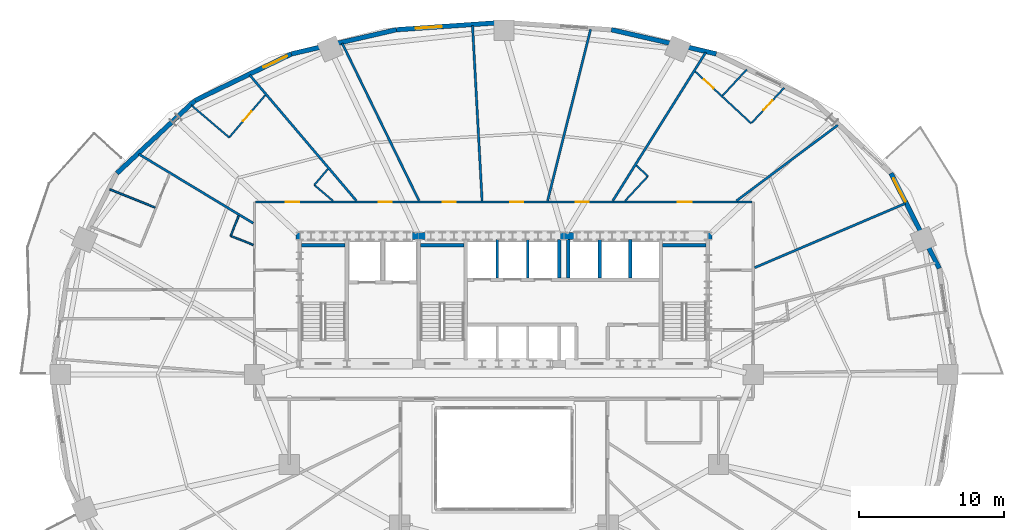
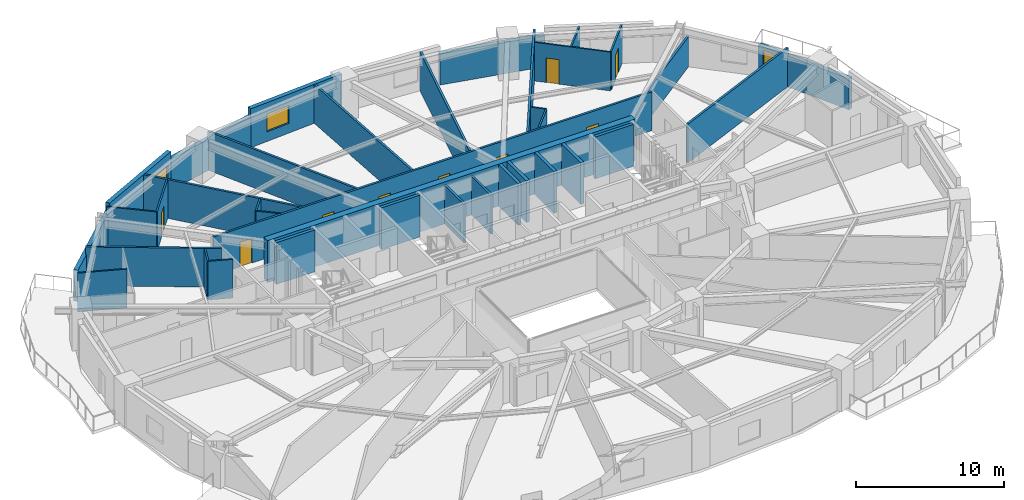
# One storey, part 12 of 17: 37 walls, 9 doors, 3 windows, 12 openings.
"""IFC4 building model written with IfcOpenShell, lengths in metres."""

from ifc_helpers import new_model, si_unit, direction, frame, frame_2d, origin, place, context, subcontext, project, spatial, rectangle, extrude, material, layer, layer_set, type_object, element, fill, save


model = new_model("IFC4")

# Units and contexts
model_context = context("Model", 3, precision=1e-05, world=origin(), true_north=direction((0.0, 1.0)))
body_context = subcontext(model_context, "Body", "Model", "MODEL_VIEW")
ifc_project = project(units=[si_unit("LENGTHUNIT", "METRE"), si_unit("AREAUNIT", "SQUARE_METRE"), si_unit("VOLUMEUNIT", "CUBIC_METRE"), si_unit("PLANEANGLEUNIT", "RADIAN"), si_unit("MASSUNIT", "GRAM", prefix="KILO")], contexts=[model_context])

# Site, building, storey
site_placement = place(None, origin())
site = spatial("IfcSite", under=ifc_project, at=site_placement, CompositionType="ELEMENT")
building_placement = place(site_placement, origin())
building = spatial("IfcBuilding", under=site, at=building_placement, Name="Haldorwick Loom Tower", CompositionType="ELEMENT")
storey_placement = place(building_placement, frame((0.0, 0.0, 30.89990234375)))
storey = spatial("IfcBuildingStorey", under=building, at=storey_placement, Name="L07", CompositionType="ELEMENT", Elevation=30.89990234375)

# Wall, opening, window
ifc_material_1 = material(Name="Pressed Clay Face Brick and Insulated Masonry Backup Assembly", Category="masonry")
ifc_layer_1 = layer(ifc_material_1, 0.320068359375, Name="Pressed Clay Face Brick and Insulated Masonry Backup Assembly", Category="masonry")
ifc_layer_set_1 = layer_set([ifc_layer_1], Name="Pressed Clay Face Brick and Insulated Masonry Backup Assembly")
wall_type_1 = type_object("IfcWallType", Name="ARC-WL-EXT320", PredefinedType="STANDARD", material=ifc_layer_set_1)
wall_1_placement = place(storey_placement, frame((66.021728515625, 33.320556640625, 0.0), z_axis=(0.0, 0.0, 1.0), x_axis=(-0.452950855928, 0.891535485617, 0.0)))
wall_1 = element("IfcWall", 1, at=wall_1_placement, inside=storey, type_object=wall_type_1, Name="L07 Brick Pier and Spandrel Wall 2", PredefinedType="STANDARD", context=body_context, shape_type="SweptSolid", body=[
    extrude(rectangle(XDim=7.3583984375, YDim=0.320068359375, at=frame_2d((3.67919921875, 0.0))), origin(), (0.0, 0.0, 1.0), 2.569091796875),
])
opening_1_placement = place(wall_1_placement, frame((5.158203125, 0.0, 0.800048828125)))
opening_1 = element("IfcOpeningElement", 2, at=opening_1_placement, cuts=wall_1, Name="Opening W-01", PredefinedType="OPENING", context=body_context, shape_type="SweptSolid", body=[
    extrude(rectangle(XDim=1.800048828125, YDim=1.47998046875, at=frame_2d((0.89990234375, 0.739990234375))), frame((0.0, 0.169921875, 0.0), z_axis=(0.0, -1.0, 0.0), x_axis=(1.0, 0.0, 0.0)), (0.0, 0.0, 1.0), 0.340087890625),
])
ifc_material_2 = material(Name="Triple-Glazed Low-E Argon Insulated Glazing Unit", Category="glass")
window_type = type_object("IfcWindowType", Name="ARC-WIN-W180", PartitioningType="SINGLE_PANEL", PredefinedType="WINDOW", material=ifc_material_2)
window_1_placement = place(opening_1_placement, origin())
window_1 = element("IfcWindow", 3, at=window_1_placement, inside=storey, type_object=window_type, Name="L07 Deep-Set Zone 7A Window 2", OverallHeight=1.47998046875, OverallWidth=1.800048828125, PartitioningType="SINGLE_PANEL", PredefinedType="WINDOW", context=body_context, shape_type="SweptSolid", body=[
    extrude(rectangle(XDim=1.800048828125, YDim=1.47998046875, at=frame_2d((0.89990234375, 0.739990234375))), frame((0.0, 0.030029296875, 0.0), z_axis=(0.0, -1.0, 0.0), x_axis=(1.0, 0.0, 0.0)), (0.0, 0.0, 1.0), 0.06005859375),
])
fill(opening_1, window_1)

# Wall
wall_2_placement = place(storey_placement, frame((50.644775390625, 48.11572265625, 0.0), z_axis=(0.0, 0.0, 1.0), x_axis=(-0.974522412345, 0.224290142088, 0.0)))
element("IfcWall", 4, at=wall_2_placement, inside=storey, type_object=wall_type_1, Name="L07 Brick Pier and Spandrel Wall 5", PredefinedType="STANDARD", context=body_context, shape_type="SweptSolid", body=[
    extrude(rectangle(XDim=7.422607421875, YDim=0.320068359375, at=frame_2d((3.71142578125, 0.0))), origin(), (0.0, 0.0, 1.0), 2.569091796875),
])

# Wall, opening, window
wall_3_placement = place(storey_placement, frame((36.0, 50.2900390625, 0.0), z_axis=(0.0, 0.0, 1.0), x_axis=(-0.997645161917, -0.068586667092, 0.0)))
wall_3 = element("IfcWall", 5, at=wall_3_placement, inside=storey, type_object=wall_type_1, Name="L07 Brick Pier and Spandrel Wall 7", PredefinedType="STANDARD", context=body_context, shape_type="SweptSolid", body=[
    extrude(rectangle(XDim=7.428955078125, YDim=0.320068359375, at=frame_2d((3.71435546875, 0.0))), origin(), (0.0, 0.0, 1.0), 3.210205078125),
])
opening_2_placement = place(wall_3_placement, frame((4.30029296875, 0.0, 0.800048828125)))
opening_2 = element("IfcOpeningElement", 6, at=opening_2_placement, cuts=wall_3, Name="Opening W-01", PredefinedType="OPENING", context=body_context, shape_type="SweptSolid", body=[
    extrude(rectangle(XDim=1.800048828125, YDim=1.47998046875, at=frame_2d((0.89990234375, 0.739990234375))), frame((0.0, 0.169921875, 0.0), z_axis=(0.0, -1.0, 0.0), x_axis=(1.0, 0.0, 0.0)), (0.0, 0.0, 1.0), 0.340087890625),
])
window_2_placement = place(opening_2_placement, origin())
window_2 = element("IfcWindow", 7, at=window_2_placement, inside=storey, type_object=window_type, Name="L07 Deep-Set Zone 7A Window 7", OverallHeight=1.47998046875, OverallWidth=1.800048828125, PartitioningType="SINGLE_PANEL", PredefinedType="WINDOW", context=body_context, shape_type="SweptSolid", body=[
    extrude(rectangle(XDim=1.800048828125, YDim=1.47998046875, at=frame_2d((0.89990234375, 0.739990234375))), frame((0.0, 0.030029296875, 0.0), z_axis=(0.0, -1.0, 0.0), x_axis=(1.0, 0.0, 0.0)), (0.0, 0.0, 1.0), 0.06005859375),
])
fill(opening_2, window_2)

# Wall
wall_4_placement = place(storey_placement, frame((28.588623046875, 49.780517578125, 0.0), z_axis=(0.0, 0.0, 1.0), x_axis=(-0.974522412345, -0.224290142088, 0.0)))
element("IfcWall", 8, at=wall_4_placement, inside=storey, type_object=wall_type_1, Name="L07 Brick Pier and Spandrel Wall 8", PredefinedType="STANDARD", context=body_context, shape_type="SweptSolid", body=[
    extrude(rectangle(XDim=7.422607421875, YDim=0.320068359375, at=frame_2d((3.71142578125, 0.0))), origin(), (0.0, 0.0, 1.0), 2.569091796875),
])

# Wall, opening, window
wall_5_placement = place(storey_placement, frame((21.355224609375, 48.11572265625, 0.0), z_axis=(0.0, 0.0, 1.0), x_axis=(-0.900295710431, -0.435278800057, 0.0)))
wall_5 = element("IfcWall", 9, at=wall_5_placement, inside=storey, type_object=wall_type_1, Name="L07 Brick Pier and Spandrel Wall 9", PredefinedType="STANDARD", context=body_context, shape_type="SweptSolid", body=[
    extrude(rectangle(XDim=7.39697265625, YDim=0.320068359375, at=frame_2d((3.698486328125, 0.0))), origin(), (0.0, 0.0, 1.0), 3.210205078125),
])
opening_3_placement = place(wall_5_placement, frame((0.340087890625, 0.0, 0.800048828125)))
opening_3 = element("IfcOpeningElement", 10, at=opening_3_placement, cuts=wall_5, Name="Opening W-01", PredefinedType="OPENING", context=body_context, shape_type="SweptSolid", body=[
    extrude(rectangle(XDim=1.800048828125, YDim=1.47998046875, at=frame_2d((0.89990234375, 0.739990234375))), frame((0.0, 0.169921875, 0.0), z_axis=(0.0, -1.0, 0.0), x_axis=(1.0, 0.0, 0.0)), (0.0, 0.0, 1.0), 0.340087890625),
])
window_3_placement = place(opening_3_placement, origin())
window_3 = element("IfcWindow", 11, at=window_3_placement, inside=storey, type_object=window_type, Name="L07 Deep-Set Zone 7A Window 9", OverallHeight=1.47998046875, OverallWidth=1.800048828125, PartitioningType="SINGLE_PANEL", PredefinedType="WINDOW", context=body_context, shape_type="SweptSolid", body=[
    extrude(rectangle(XDim=1.800048828125, YDim=1.47998046875, at=frame_2d((0.89990234375, 0.739990234375))), frame((0.0, 0.030029296875, 0.0), z_axis=(0.0, -1.0, 0.0), x_axis=(1.0, 0.0, 0.0)), (0.0, 0.0, 1.0), 0.06005859375),
])
fill(opening_3, window_3)

# Wall
wall_6_placement = place(storey_placement, frame((14.69580078125, 44.89599609375, 0.0), z_axis=(0.0, 0.0, 1.0), x_axis=(-0.73176101237, -0.681561311091, 0.0)))
element("IfcWall", 12, at=wall_6_placement, inside=storey, type_object=wall_type_1, Name="L07 Brick Pier and Spandrel Wall 10", PredefinedType="STANDARD", context=body_context, shape_type="SweptSolid", body=[
    extrude(rectangle(XDim=7.3583984375, YDim=0.320068359375, at=frame_2d((3.67919921875, 0.0))), origin(), (0.0, 0.0, 1.0), 2.569091796875),
])

# Wall, openings, doors
ifc_material_3 = material(Name="Fire-Rated Type X Gypsum Stud Assembly EI 60")
ifc_layer_2 = layer(ifc_material_3, 0.159912109375, Name="Fire-Rated Type X Gypsum Stud Assembly EI 60")
ifc_layer_set_2 = layer_set([ifc_layer_2], Name="Fire-Rated Type X Gypsum Stud Assembly EI 60")
wall_type_2 = type_object("IfcWallType", Name="ARC-WL-FIRE160", PredefinedType="PARTITIONING", material=ifc_layer_set_2)
wall_7_placement = place(storey_placement, frame((18.883056640625, 37.89990234375, 0.0), z_axis=(0.0, 0.0, 1.0), x_axis=(1.0, 0.0, 0.0)))
wall_7 = element("IfcWall", 13, at=wall_7_placement, inside=storey, type_object=wall_type_2, Name="L07 Residential Fire Partition L07-CR-N0", PredefinedType="PARTITIONING", context=body_context, shape_type="SweptSolid", body=[
    extrude(rectangle(XDim=34.23388671875, YDim=0.159912109375, at=frame_2d((17.116943359375, 0.0))), origin(), (0.0, 0.0, 1.0), 3.195068359375),
])
opening_4_placement = place(wall_7_placement, frame((29.120849609375, 0.0, 0.0)))
opening_4 = element("IfcOpeningElement", 14, at=opening_4_placement, cuts=wall_7, Name="Opening D-FL95", PredefinedType="OPENING", context=body_context, shape_type="SweptSolid", body=[
    extrude(rectangle(XDim=0.949951171875, YDim=2.0400390625, at=frame_2d((0.47509765625, 1.02001953125))), frame((0.0, 0.08984375, 0.0), z_axis=(0.0, -1.0, 0.0), x_axis=(1.0, 0.0, 0.0)), (0.0, 0.0, 1.0), 0.179931640625),
])
opening_5_placement = place(wall_7_placement, frame((2.06494140625, 0.0, 0.0)))
opening_5 = element("IfcOpeningElement", 15, at=opening_5_placement, cuts=wall_7, Name="Opening D-FL95", PredefinedType="OPENING", context=body_context, shape_type="SweptSolid", body=[
    extrude(rectangle(XDim=0.949951171875, YDim=2.0400390625, at=frame_2d((0.47509765625, 1.02001953125))), frame((0.0, 0.08984375, 0.0), z_axis=(0.0, -1.0, 0.0), x_axis=(1.0, 0.0, 0.0)), (0.0, 0.0, 1.0), 0.179931640625),
])
opening_6_placement = place(wall_7_placement, frame((22.078125, 0.0, 0.0)))
opening_6 = element("IfcOpeningElement", 16, at=opening_6_placement, cuts=wall_7, Name="Opening D-FD60A", PredefinedType="OPENING", context=body_context, shape_type="SweptSolid", body=[
    extrude(rectangle(XDim=0.89990234375, YDim=2.0, at=frame_2d((0.449951171875, 1.0))), frame((0.0, 0.08984375, 0.0), z_axis=(0.0, -1.0, 0.0), x_axis=(1.0, 0.0, 0.0)), (0.0, 0.0, 1.0), 0.179931640625),
])
opening_7_placement = place(wall_7_placement, frame((17.550537109375, 0.0, 0.0)))
opening_7 = element("IfcOpeningElement", 17, at=opening_7_placement, cuts=wall_7, Name="Opening D-FD60A", PredefinedType="OPENING", context=body_context, shape_type="SweptSolid", body=[
    extrude(rectangle(XDim=0.89990234375, YDim=2.0, at=frame_2d((0.449951171875, 1.0))), frame((0.0, 0.08984375, 0.0), z_axis=(0.0, -1.0, 0.0), x_axis=(1.0, 0.0, 0.0)), (0.0, 0.0, 1.0), 0.179931640625),
])
opening_8_placement = place(wall_7_placement, frame((8.4951171875, 0.0, 0.0)))
opening_8 = element("IfcOpeningElement", 18, at=opening_8_placement, cuts=wall_7, Name="Opening D-FD60A", PredefinedType="OPENING", context=body_context, shape_type="SweptSolid", body=[
    extrude(rectangle(XDim=0.89990234375, YDim=2.0, at=frame_2d((0.449951171875, 1.0))), frame((0.0, 0.08984375, 0.0), z_axis=(0.0, -1.0, 0.0), x_axis=(1.0, 0.0, 0.0)), (0.0, 0.0, 1.0), 0.179931640625),
])
opening_9_placement = place(wall_7_placement, frame((12.912353515625, 0.0, 0.0)))
opening_9 = element("IfcOpeningElement", 19, at=opening_9_placement, cuts=wall_7, Name="Opening D-FD60A", PredefinedType="OPENING", context=body_context, shape_type="SweptSolid", body=[
    extrude(rectangle(XDim=0.89990234375, YDim=2.0, at=frame_2d((0.449951171875, 1.0))), frame((0.0, 0.08984375, 0.0), z_axis=(0.0, -1.0, 0.0), x_axis=(1.0, 0.0, 0.0)), (0.0, 0.0, 1.0), 0.179931640625),
])
ifc_material_4 = material(Name="Hollow Steel Fire Door Assembly", Category="steel")
door_type_1 = type_object("IfcDoorType", Name="ARC-DR-FD60-90", OperationType="NOTDEFINED", PredefinedType="DOOR", material=ifc_material_4)
door_1_placement = place(opening_6_placement, frame((0.89990234375, 0.0, 0.0), z_axis=(0.0, 0.0, 1.0), x_axis=(-1.0, 0.0, 0.0)))
door_1 = element("IfcDoor", 20, at=door_1_placement, inside=storey, type_object=door_type_1, Name="L07 Shared Resident Dining Hall 11 to L07 North Residential Corridor Doo", OperationType="SINGLE_SWING_LEFT", OverallHeight=2.0, OverallWidth=0.89990234375, PredefinedType="DOOR", context=body_context, shape_type="SweptSolid", body=[
    extrude(rectangle(XDim=0.89990234375, YDim=2.0, at=frame_2d((0.449951171875, 1.0))), frame((0.0, 0.02490234375, 0.0), z_axis=(0.0, -1.0, 0.0), x_axis=(1.0, 0.0, 0.0)), (0.0, 0.0, 1.0), 0.050048828125),
])
fill(opening_6, door_1)
door_2_placement = place(opening_7_placement, frame((0.89990234375, 0.0, 0.0), z_axis=(0.0, 0.0, 1.0), x_axis=(-1.0, 0.0, 0.0)))
door_2 = element("IfcDoor", 21, at=door_2_placement, inside=storey, type_object=door_type_1, Name="L07 Shared Resident Dining Hall 12 to L07 North Residential Corridor Doo", OperationType="SINGLE_SWING_RIGHT", OverallHeight=2.0, OverallWidth=0.89990234375, PredefinedType="DOOR", context=body_context, shape_type="SweptSolid", body=[
    extrude(rectangle(XDim=0.89990234375, YDim=2.0, at=frame_2d((0.449951171875, 1.0))), frame((0.0, 0.02490234375, 0.0), z_axis=(0.0, -1.0, 0.0), x_axis=(1.0, 0.0, 0.0)), (0.0, 0.0, 1.0), 0.050048828125),
])
fill(opening_7, door_2)
door_3_placement = place(opening_8_placement, frame((0.89990234375, 0.0, 0.0), z_axis=(0.0, 0.0, 1.0), x_axis=(-1.0, 0.0, 0.0)))
door_3 = element("IfcDoor", 22, at=door_3_placement, inside=storey, type_object=door_type_1, Name="L07 Shared Resident Dining Hall 13 to L07 North Residential Corridor Doo", OperationType="SINGLE_SWING_LEFT", OverallHeight=2.0, OverallWidth=0.89990234375, PredefinedType="DOOR", context=body_context, shape_type="SweptSolid", body=[
    extrude(rectangle(XDim=0.89990234375, YDim=2.0, at=frame_2d((0.449951171875, 1.0))), frame((0.0, 0.02490234375, 0.0), z_axis=(0.0, -1.0, 0.0), x_axis=(1.0, 0.0, 0.0)), (0.0, 0.0, 1.0), 0.050048828125),
])
fill(opening_8, door_3)
door_4_placement = place(opening_9_placement, frame((0.89990234375, 0.0, 0.0), z_axis=(0.0, 0.0, 1.0), x_axis=(-1.0, 0.0, 0.0)))
door_4 = element("IfcDoor", 23, at=door_4_placement, inside=storey, type_object=door_type_1, Name="L07 Shared Resident Dining Hall 14 to L07 North Residential Corridor Doo", OperationType="SINGLE_SWING_RIGHT", OverallHeight=2.0, OverallWidth=0.89990234375, PredefinedType="DOOR", context=body_context, shape_type="SweptSolid", body=[
    extrude(rectangle(XDim=0.89990234375, YDim=2.0, at=frame_2d((0.449951171875, 1.0))), frame((0.0, 0.02490234375, 0.0), z_axis=(0.0, -1.0, 0.0), x_axis=(1.0, 0.0, 0.0)), (0.0, 0.0, 1.0), 0.050048828125),
])
fill(opening_9, door_4)
ifc_material_5 = material(Name="Solid Core Birch Architectural Door")
door_type_2 = type_object("IfcDoorType", Name="ARC-DR-FLAT95", OperationType="NOTDEFINED", PredefinedType="DOOR", material=ifc_material_5)
door_5_placement = place(opening_4_placement, frame((0.949951171875, 0.0, 0.0), z_axis=(0.0, 0.0, 1.0), x_axis=(-1.0, 0.0, 0.0)))
door_5 = element("IfcDoor", 24, at=door_5_placement, inside=storey, type_object=door_type_2, Name="L07 Unit 07E Kitchen and Living Room to L07 North Residential Corridor D", OperationType="SINGLE_SWING_RIGHT", OverallHeight=2.0400390625, OverallWidth=0.949951171875, PredefinedType="DOOR", context=body_context, shape_type="SweptSolid", body=[
    extrude(rectangle(XDim=0.949951171875, YDim=2.0400390625, at=frame_2d((0.47509765625, 1.02001953125))), frame((0.0, 0.02490234375, 0.0), z_axis=(0.0, -1.0, 0.0), x_axis=(1.0, 0.0, 0.0)), (0.0, 0.0, 1.0), 0.050048828125),
])
fill(opening_4, door_5)
door_6_placement = place(opening_5_placement, frame((0.949951171875, 0.0, 0.0), z_axis=(0.0, 0.0, 1.0), x_axis=(-1.0, 0.0, 0.0)))
door_6 = element("IfcDoor", 25, at=door_6_placement, inside=storey, type_object=door_type_2, Name="L07 Unit 07F Kitchen and Studio Living Room to L07 North Residential Cor", OperationType="SINGLE_SWING_RIGHT", OverallHeight=2.0400390625, OverallWidth=0.949951171875, PredefinedType="DOOR", context=body_context, shape_type="SweptSolid", body=[
    extrude(rectangle(XDim=0.949951171875, YDim=2.0400390625, at=frame_2d((0.47509765625, 1.02001953125))), frame((0.0, 0.02490234375, 0.0), z_axis=(0.0, -1.0, 0.0), x_axis=(1.0, 0.0, 0.0)), (0.0, 0.0, 1.0), 0.050048828125),
])
fill(opening_5, door_6)

# Walls
wall_8_placement = place(storey_placement, frame((34.49560546875, 37.98291015625, 0.0), z_axis=(0.0, 0.0, 1.0), x_axis=(-0.054528808972, 0.998512197718, 0.0)))
element("IfcWall", 26, at=wall_8_placement, inside=storey, type_object=wall_type_2, Name="L07 Residential Fire Partition L07-UPN-11", PredefinedType="PARTITIONING", context=body_context, shape_type="SweptSolid", body=[
    extrude(rectangle(XDim=12.111083984375, YDim=0.159912109375, at=frame_2d((6.0556640625, 0.0))), origin(), (0.0, 0.0, 1.0), 3.195068359375),
])
wall_9_placement = place(storey_placement, frame((52.037109375, 37.98291015625, 0.0), z_axis=(0.0, 0.0, 1.0), x_axis=(0.801076774435, 0.598561610413, 0.0)))
element("IfcWall", 27, at=wall_9_placement, inside=storey, type_object=wall_type_2, Name="L07 Suite Split Wall", PredefinedType="PARTITIONING", context=body_context, shape_type="SweptSolid", body=[
    extrude(rectangle(XDim=8.723388671875, YDim=0.159912109375, at=frame_2d((4.36181640625, 0.0))), origin(), (0.0, 0.0, 1.0), 2.489990234375),
])
wall_10_placement = place(storey_placement, frame((18.717041015625, 36.43798828125, 0.0), z_axis=(0.0, 0.0, 1.0), x_axis=(-0.856005402243, 0.516966876435, 0.0)))
element("IfcWall", 28, at=wall_10_placement, inside=storey, type_object=wall_type_2, Name="L07 Suite Split Wall", PredefinedType="PARTITIONING", context=body_context, shape_type="SweptSolid", body=[
    extrude(rectangle(XDim=9.218017578125, YDim=0.159912109375, at=frame_2d((4.60888671875, 0.0))), origin(), (0.0, 0.0, 1.0), 3.195068359375),
])
wall_11_placement = place(storey_placement, frame((43.50732421875, 37.98291015625, 0.0), z_axis=(0.0, 0.0, 1.0), x_axis=(0.530907280122, 0.847429914455, 0.0)))
element("IfcWall", 29, at=wall_11_placement, inside=storey, type_object=wall_type_2, Name="L07 Suite Split Wall", PredefinedType="PARTITIONING", context=body_context, shape_type="SweptSolid", body=[
    extrude(rectangle(XDim=12.07568359375, YDim=0.159912109375, at=frame_2d((6.037841796875, 0.0))), origin(), (0.0, 0.0, 1.0), 3.195068359375),
])
wall_12_placement = place(storey_placement, frame((25.830810546875, 37.98291015625, 0.0), z_axis=(0.0, 0.0, 1.0), x_axis=(-0.647044794707, 0.762451987762, 0.0)))
element("IfcWall", 30, at=wall_12_placement, inside=storey, type_object=wall_type_2, Name="L07 Suite Split Wall", PredefinedType="PARTITIONING", context=body_context, shape_type="SweptSolid", body=[
    extrude(rectangle(XDim=11.36865234375, YDim=0.159912109375, at=frame_2d((5.684326171875, 0.0))), origin(), (0.0, 0.0, 1.0), 3.195068359375),
])
wall_13_placement = place(storey_placement, frame((53.282958984375, 33.3671875, 0.0), z_axis=(0.0, 0.0, 1.0), x_axis=(0.919911251581, 0.392126623956, 0.0)))
element("IfcWall", 31, at=wall_13_placement, inside=storey, type_object=wall_type_2, Name="L07 Suite Split Wall", PredefinedType="PARTITIONING", context=body_context, shape_type="SweptSolid", body=[
    extrude(rectangle(XDim=11.296630859375, YDim=0.159912109375, at=frame_2d((5.6484375, 0.0))), origin(), (0.0, 0.0, 1.0), 3.195068359375),
])
wall_14_placement = place(storey_placement, frame((39.0107421875, 37.98291015625, 0.0), z_axis=(0.0, 0.0, 1.0), x_axis=(0.243675100146, 0.969856920153, 0.0)))
element("IfcWall", 32, at=wall_14_placement, inside=storey, type_object=wall_type_2, Name="L07 Suite Split Wall", PredefinedType="PARTITIONING", context=body_context, shape_type="SweptSolid", body=[
    extrude(rectangle(XDim=12.1982421875, YDim=0.159912109375, at=frame_2d((6.09912109375, 0.0))), origin(), (0.0, 0.0, 1.0), 3.195068359375),
])
wall_15_placement = place(storey_placement, frame((30.150390625, 37.98291015625, 0.0), z_axis=(0.0, 0.0, 1.0), x_axis=(-0.438667003558, 0.898649687024, 0.0)))
element("IfcWall", 33, at=wall_15_placement, inside=storey, type_object=wall_type_2, Name="L07 Suite Split Wall", PredefinedType="PARTITIONING", context=body_context, shape_type="SweptSolid", body=[
    extrude(rectangle(XDim=12.094970703125, YDim=0.159912109375, at=frame_2d((6.04736328125, 0.0))), origin(), (0.0, 0.0, 1.0), 3.195068359375),
])
ifc_material_6 = material(Name="Acoustic Gypsum Stud Assembly STC 55")
ifc_layer_3 = layer(ifc_material_6, 0.1201171875, Name="Acoustic Gypsum Stud Assembly STC 55")
ifc_layer_set_3 = layer_set([ifc_layer_3], Name="Acoustic Gypsum Stud Assembly STC 55")
wall_type_3 = type_object("IfcWallType", Name="ARC-WL-PART120", PredefinedType="PARTITIONING", material=ifc_layer_set_3)
wall_16_placement = place(storey_placement, frame((17.712646484375, 36.947509765625, 0.0), z_axis=(0.0, 0.0, 1.0), x_axis=(-0.372154077174, -0.928170966386, 0.0)))
element("IfcWall", 34, at=wall_16_placement, inside=storey, type_object=wall_type_3, Name="L07 Unit 07A Interior Partition", PredefinedType="PARTITIONING", context=body_context, shape_type="SweptSolid", body=[
    extrude(rectangle(XDim=1.488525390625, YDim=0.1201171875, at=frame_2d((0.744140625, 0.0))), origin(), (0.0, 0.0, 1.0), 3.195068359375),
])
wall_17_placement = place(storey_placement, frame((18.717041015625, 34.94140625, 0.0), z_axis=(0.0, 0.0, 1.0), x_axis=(-0.928235795544, 0.371992349209, 0.0)))
element("IfcWall", 35, at=wall_17_placement, inside=storey, type_object=wall_type_3, Name="L07 Unit 07A Interior Partition", PredefinedType="PARTITIONING", context=body_context, shape_type="SweptSolid", body=[
    extrude(rectangle(XDim=1.6787109375, YDim=0.1201171875, at=frame_2d((0.83935546875, 0.0))), origin(), (0.0, 0.0, 1.0), 3.195068359375),
])
wall_18_placement = place(storey_placement, frame((11.952392578125, 37.517822265625, 0.0), z_axis=(0.0, 0.0, 1.0), x_axis=(-0.928201913578, 0.372076884031, 0.0)))
element("IfcWall", 36, at=wall_18_placement, inside=storey, type_object=wall_type_3, Name="L07 Unit 07A Interior Partition", PredefinedType="PARTITIONING", context=body_context, shape_type="SweptSolid", body=[
    extrude(rectangle(XDim=3.373291015625, YDim=0.1201171875, at=frame_2d((1.6865234375, 0.0))), origin(), (0.0, 0.0, 1.0), 3.195068359375),
])
wall_19_placement = place(storey_placement, frame((45.9296875, 39.677490234375, 0.0), z_axis=(0.0, 0.0, 1.0), x_axis=(-0.733711003492, 0.679461671734, 0.0)))
element("IfcWall", 37, at=wall_19_placement, inside=storey, type_object=wall_type_3, Name="L07 Unit 07E Interior Partition", PredefinedType="PARTITIONING", context=body_context, shape_type="SweptSolid", body=[
    extrude(rectangle(XDim=1.089111328125, YDim=0.1201171875, at=frame_2d((0.54443359375, 0.0))), origin(), (0.0, 0.0, 1.0), 3.195068359375),
])
wall_20_placement = place(storey_placement, frame((44.360107421875, 37.98291015625, 0.0), z_axis=(0.0, 0.0, 1.0), x_axis=(0.679530269144, 0.733647472099, 0.0)))
element("IfcWall", 38, at=wall_20_placement, inside=storey, type_object=wall_type_3, Name="L07 Unit 07E Interior Partition", PredefinedType="PARTITIONING", context=body_context, shape_type="SweptSolid", body=[
    extrude(rectangle(XDim=2.309814453125, YDim=0.1201171875, at=frame_2d((1.15478515625, 0.0))), origin(), (0.0, 0.0, 1.0), 3.195068359375),
])

# Wall, opening, door
wall_21_placement = place(storey_placement, frame((53.0537109375, 43.319580078125, 0.0), z_axis=(0.0, 0.0, 1.0), x_axis=(-0.733664788314, 0.679511573403, 0.0)))
wall_21 = element("IfcWall", 39, at=wall_21_placement, inside=storey, type_object=wall_type_3, Name="L07 Unit 07E Interior Partition", PredefinedType="PARTITIONING", context=body_context, shape_type="SweptSolid", body=[
    extrude(rectangle(XDim=5.265625, YDim=0.1201171875, at=frame_2d((2.6328125, 0.0))), origin(), (0.0, 0.0, 1.0), 3.195068359375),
])
opening_10_placement = place(wall_21_placement, frame((3.56640625, 0.0, 0.0)))
opening_10 = element("IfcOpeningElement", 40, at=opening_10_placement, cuts=wall_21, Name="Opening D-BT88", PredefinedType="OPENING", context=body_context, shape_type="SweptSolid", body=[
    extrude(rectangle(XDim=0.8798828125, YDim=2.02001953125, at=frame_2d((0.43994140625, 1.010009765625))), frame((0.0, 0.070068359375, 0.0), z_axis=(0.0, -1.0, 0.0), x_axis=(1.0, 0.0, 0.0)), (0.0, 0.0, 1.0), 0.14013671875),
])
door_type_3 = type_object("IfcDoorType", Name="ARC-DR-BATH88", OperationType="NOTDEFINED", PredefinedType="DOOR", material=ifc_material_5)
door_7_placement = place(opening_10_placement, origin())
door_7 = element("IfcDoor", 41, at=door_7_placement, inside=storey, type_object=door_type_3, Name="L07 Unit 07E Kitchen and Living Room to Unit 07E Bathroom Door", OperationType="SINGLE_SWING_RIGHT", OverallHeight=2.02001953125, OverallWidth=0.8798828125, PredefinedType="DOOR", context=body_context, shape_type="SweptSolid", body=[
    extrude(rectangle(XDim=0.8798828125, YDim=2.02001953125, at=frame_2d((0.43994140625, 1.010009765625))), frame((0.0, 0.02490234375, 0.0), z_axis=(0.0, -1.0, 0.0), x_axis=(1.0, 0.0, 0.0)), (0.0, 0.0, 1.0), 0.050048828125),
])
fill(opening_10, door_7)

wall_22_placement = place(storey_placement, frame((53.096435546875, 43.36572265625, 0.0), z_axis=(0.0, 0.0, 1.0), x_axis=(0.679524989398, 0.733652362351, 0.0)))
wall_22 = element("IfcWall", 42, at=wall_22_placement, inside=storey, type_object=wall_type_3, Name="L07 Unit 07E Interior Partition", PredefinedType="PARTITIONING", context=body_context, shape_type="SweptSolid", body=[
    extrude(rectangle(XDim=3.2880859375, YDim=0.1201171875, at=frame_2d((1.64404296875, 0.0))), origin(), (0.0, 0.0, 1.0), 3.195068359375),
])
opening_11_placement = place(wall_22_placement, frame((1.194091796875, 0.0, 0.0)))
opening_11 = element("IfcOpeningElement", 43, at=opening_11_placement, cuts=wall_22, Name="Opening D-IN90", PredefinedType="OPENING", context=body_context, shape_type="SweptSolid", body=[
    extrude(rectangle(XDim=0.89990234375, YDim=2.0400390625, at=frame_2d((0.449951171875, 1.02001953125))), frame((0.0, 0.070068359375, 0.0), z_axis=(0.0, -1.0, 0.0), x_axis=(1.0, 0.0, 0.0)), (0.0, 0.0, 1.0), 0.14013671875),
])
door_type_4 = type_object("IfcDoorType", Name="ARC-DR-INT90", OperationType="NOTDEFINED", PredefinedType="DOOR", material=ifc_material_5)
door_8_placement = place(opening_11_placement, origin())
door_8 = element("IfcDoor", 44, at=door_8_placement, inside=storey, type_object=door_type_4, Name="L07 Unit 07E Bedroom 1 to Unit 07E Kitchen and Living Room Door", OperationType="SINGLE_SWING_RIGHT", OverallHeight=2.0400390625, OverallWidth=0.89990234375, PredefinedType="DOOR", context=body_context, shape_type="SweptSolid", body=[
    extrude(rectangle(XDim=0.89990234375, YDim=2.0400390625, at=frame_2d((0.449951171875, 1.02001953125))), frame((0.0, 0.02490234375, 0.0), z_axis=(0.0, -1.0, 0.0), x_axis=(1.0, 0.0, 0.0)), (0.0, 0.0, 1.0), 0.050048828125),
])
fill(opening_11, door_8)

# Walls
wall_23_placement = place(storey_placement, frame((51.078369140625, 45.235107421875, 0.0), z_axis=(0.0, 0.0, 1.0), x_axis=(0.679547307906, 0.733631689827, 0.0)))
element("IfcWall", 45, at=wall_23_placement, inside=storey, type_object=wall_type_3, Name="L07 Unit 07E Interior Partition", PredefinedType="PARTITIONING", context=body_context, shape_type="SweptSolid", body=[
    extrude(rectangle(XDim=2.446533203125, YDim=0.1201171875, at=frame_2d((1.22314453125, 0.0))), origin(), (0.0, 0.0, 1.0), 3.195068359375),
])
wall_24_placement = place(storey_placement, frame((23.863525390625, 40.1728515625, 0.0), z_axis=(0.0, 0.0, 1.0), x_axis=(-0.648756643585, -0.760995937837, 0.0)))
element("IfcWall", 46, at=wall_24_placement, inside=storey, type_object=wall_type_3, Name="L07 Unit 07F Interior Partition", PredefinedType="PARTITIONING", context=body_context, shape_type="SweptSolid", body=[
    extrude(rectangle(XDim=1.4443359375, YDim=0.1201171875, at=frame_2d((0.72216796875, 0.0))), origin(), (0.0, 0.0, 1.0), 3.195068359375),
])
wall_25_placement = place(storey_placement, frame((24.20556640625, 37.98291015625, 0.0), z_axis=(0.0, 0.0, 1.0), x_axis=(-0.76087402222, 0.648899624218, 0.0)))
element("IfcWall", 47, at=wall_25_placement, inside=storey, type_object=wall_type_3, Name="L07 Unit 07F Interior Partition", PredefinedType="PARTITIONING", context=body_context, shape_type="SweptSolid", body=[
    extrude(rectangle(XDim=1.68115234375, YDim=0.1201171875, at=frame_2d((0.840576171875, 0.0))), origin(), (0.0, 0.0, 1.0), 3.195068359375),
])

# Wall, opening, door
wall_26_placement = place(storey_placement, frame((19.542236328125, 45.264892578125, 0.0), z_axis=(0.0, 0.0, 1.0), x_axis=(-0.6488641843, -0.76090424518, 0.0)))
wall_26 = element("IfcWall", 48, at=wall_26_placement, inside=storey, type_object=wall_type_3, Name="L07 Unit 07F Interior Partition", PredefinedType="PARTITIONING", context=body_context, shape_type="SweptSolid", body=[
    extrude(rectangle(XDim=3.8330078125, YDim=0.1201171875, at=frame_2d((1.91650390625, 0.0))), origin(), (0.0, 0.0, 1.0), 3.195068359375),
])
opening_12_placement = place(wall_26_placement, frame((1.476318359375, 0.0, 0.0)))
opening_12 = element("IfcOpeningElement", 49, at=opening_12_placement, cuts=wall_26, Name="Opening D-BT88", PredefinedType="OPENING", context=body_context, shape_type="SweptSolid", body=[
    extrude(rectangle(XDim=0.8798828125, YDim=2.02001953125, at=frame_2d((0.43994140625, 1.010009765625))), frame((0.0, 0.070068359375, 0.0), z_axis=(0.0, -1.0, 0.0), x_axis=(1.0, 0.0, 0.0)), (0.0, 0.0, 1.0), 0.14013671875),
])
door_9_placement = place(opening_12_placement, origin())
door_9 = element("IfcDoor", 50, at=door_9_placement, inside=storey, type_object=door_type_3, Name="L07 Unit 07F Kitchen and Studio Living Room to Unit 07F Bathroom Door", OperationType="SINGLE_SWING_RIGHT", OverallHeight=2.02001953125, OverallWidth=0.8798828125, PredefinedType="DOOR", context=body_context, shape_type="SweptSolid", body=[
    extrude(rectangle(XDim=0.8798828125, YDim=2.02001953125, at=frame_2d((0.43994140625, 1.010009765625))), frame((0.0, 0.02490234375, 0.0), z_axis=(0.0, -1.0, 0.0), x_axis=(1.0, 0.0, 0.0)), (0.0, 0.0, 1.0), 0.050048828125),
])
fill(opening_12, door_9)

# Walls
wall_27_placement = place(storey_placement, frame((17.05517578125, 42.348388671875, 0.0), z_axis=(0.0, 0.0, 1.0), x_axis=(-0.760867026056, 0.648907827554, 0.0)))
element("IfcWall", 51, at=wall_27_placement, inside=storey, type_object=wall_type_3, Name="L07 Unit 07F Interior Partition", PredefinedType="PARTITIONING", context=body_context, shape_type="SweptSolid", body=[
    extrude(rectangle(XDim=3.43017578125, YDim=0.1201171875, at=frame_2d((1.715087890625, 0.0))), origin(), (0.0, 0.0, 1.0), 3.195068359375),
])
ifc_material_7 = material(Name="Fire-Rated Type X Gypsum Stud Assembly EI 120")
ifc_layer_4 = layer(ifc_material_7, 0.1650390625, Name="Fire-Rated Type X Gypsum Stud Assembly EI 120")
ifc_layer_set_4 = layer_set([ifc_layer_4], Name="Fire-Rated Type X Gypsum Stud Assembly EI 120")
wall_type_4 = type_object("IfcWallType", Name="ARC-WL-SHAFT160", PredefinedType="MOVABLE", material=ifc_layer_set_4)
for number, where, z_axis, x_axis, name in (
    (52, (35.550048828125, 32.673095703125, 0.0), (0.0, 0.0, 1.0), (0.0, 1.0, 0.0), "L07 Low-Rise Hoistway Divider 1"),
    (53, (37.64990234375, 32.673095703125, 0.0), (0.0, 0.0, 1.0), (0.0, 1.0, 0.0), "L07 Low-Rise Hoistway Divider 2"),
):
    element("IfcWall", number, at=place(storey_placement, frame(where, z_axis=z_axis, x_axis=x_axis)), inside=storey, type_object=wall_type_4, Name=name, PredefinedType="MOVABLE", context=body_context, shape_type="SweptSolid", body=[
        extrude(rectangle(XDim=2.6240234375, YDim=0.159912109375, at=frame_2d((1.31201171875, 0.0))), origin(), (0.0, 0.0, 1.0), 3.195068359375),
    ])
ifc_material_8 = material(Name="Concrete C60 (60 MPa)", Category="concrete")
ifc_layer_5 = layer(ifc_material_8, 0.5, Name="Concrete C60 (60 MPa)", Category="concrete")
ifc_layer_set_5 = layer_set([ifc_layer_5], Name="Concrete C60 (60 MPa)")
wall_type_5 = type_object("IfcWallType", Name="STR-WL-CORE500", PredefinedType="SHEAR", material=ifc_layer_set_5)
wall_28_placement = place(storey_placement, frame((50.35009765625, 35.550048828125, 0.0), z_axis=(0.0, 0.0, 1.0), x_axis=(-1.0, 0.0, 0.0)))
element("IfcWall", 54, at=wall_28_placement, inside=storey, type_object=wall_type_5, Name="L07 Core Shear Wall N", PredefinedType="SHEAR", context=body_context, shape_type="SweptSolid", body=[
    extrude(rectangle(XDim=28.7001953125, YDim=0.5, at=frame_2d((14.35009765625, 0.0))), origin(), (0.0, 0.0, 1.0), 3.4501953125),
])
ifc_material_9 = material(Name="Concrete C50 (50 MPa)", Category="concrete")
ifc_layer_6 = layer(ifc_material_9, 0.239990234375, Name="Concrete C50 (50 MPa)", Category="concrete")
ifc_layer_set_6 = layer_set([ifc_layer_6], Name="Concrete C50 (50 MPa)")
wall_type_6 = type_object("IfcWallType", Name="STR-WL-SHAFT240", PredefinedType="SHEAR", material=ifc_layer_set_6)
for number, where, z_axis, x_axis, name in (
    (55, (22.052978515625, 34.919921875, 0.0), (0.0, 0.0, 1.0), (1.0, 0.0, 0.0), "L07 Core Shear Wall 1N"),
    (56, (30.2529296875, 34.919921875, 0.0), (0.0, 0.0, 1.0), (1.0, 0.0, 0.0), "L07 Core Shear Wall 3N"),
    (57, (46.952880859375, 34.919921875, 0.0), (0.0, 0.0, 1.0), (1.0, 0.0, 0.0), "L07 Core Shear Wall 4N"),
):
    element("IfcWall", number, at=place(storey_placement, frame(where, z_axis=z_axis, x_axis=x_axis)), inside=storey, type_object=wall_type_6, Name=name, PredefinedType="SHEAR", context=body_context, shape_type="SweptSolid", body=[
        extrude(rectangle(XDim=2.994140625, YDim=0.239990234375, at=frame_2d((1.4970703125, 0.0))), origin(), (0.0, 0.0, 1.0), 3.4501953125),
    ])
for number, where, z_axis, x_axis, name in (
    (58, (39.800048828125, 32.673095703125, 0.0), (0.0, 0.0, 1.0), (0.0, 1.0, 0.0), "L07 Core Shear Wall LHW"),
    (59, (40.449951171875, 32.673095703125, 0.0), (0.0, 0.0, 1.0), (0.0, 1.0, 0.0), "L07 Core Shear Wall H0"),
    (60, (42.60009765625, 32.673095703125, 0.0), (0.0, 0.0, 1.0), (0.0, 1.0, 0.0), "L07 Core Shear Wall H1"),
    (61, (44.699951171875, 32.673095703125, 0.0), (0.0, 0.0, 1.0), (0.0, 1.0, 0.0), "L07 Core Shear Wall H2"),
):
    element("IfcWall", number, at=place(storey_placement, frame(where, z_axis=z_axis, x_axis=x_axis)), inside=storey, type_object=wall_type_6, Name=name, PredefinedType="SHEAR", context=body_context, shape_type="SweptSolid", body=[
        extrude(rectangle(XDim=2.6240234375, YDim=0.239990234375, at=frame_2d((1.31201171875, 0.0))), origin(), (0.0, 0.0, 1.0), 3.4501953125),
    ])

save(model, "model.ifc")
